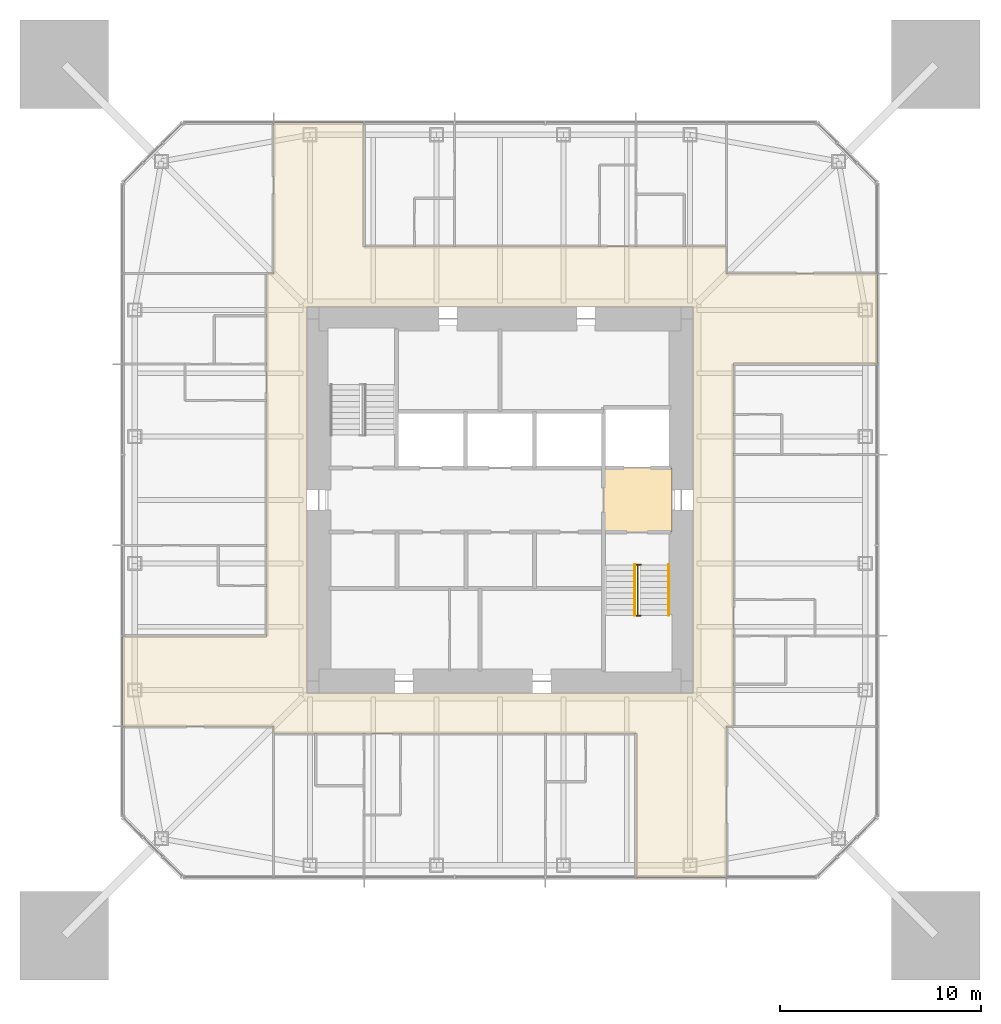
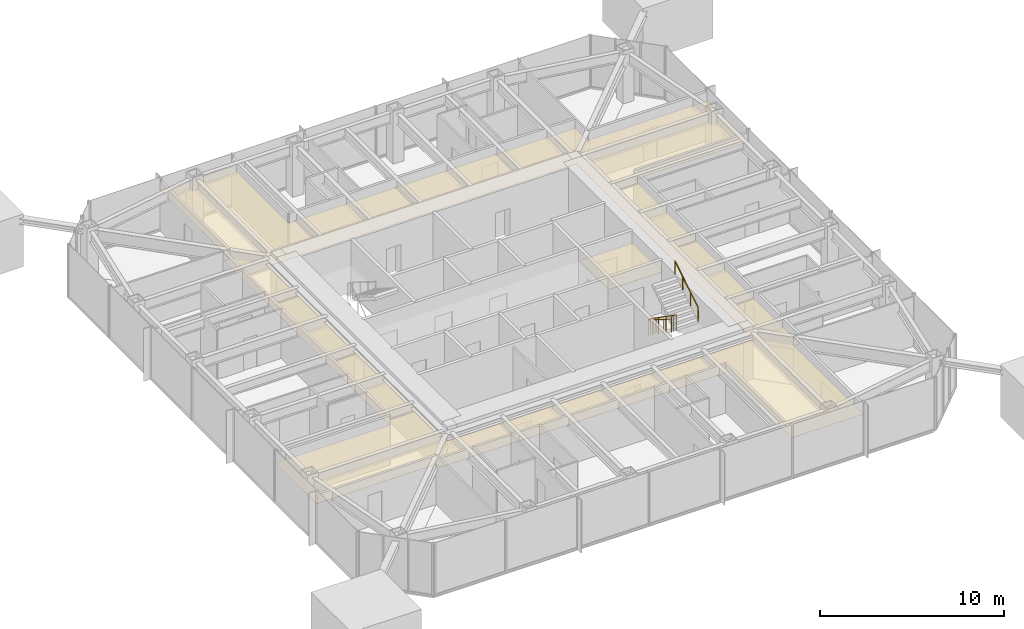
# One storey, part 10 of 11: 3 railings, 2 coverings.
"""IFC4 building model written with IfcOpenShell, lengths in metres."""

from ifc_helpers import new_model, si_unit, direction, frame, origin, origin_2d, place, context, subcontext, project, spatial, polyline, circle, outline, extrude, material, layer, layer_set, constituent, constituent_set, type_object, element, save


model = new_model("IFC4")

# Units and contexts
model_context = context("Model", 3, precision=1e-05, world=origin(), true_north=direction((0.0, 1.0)))
body_context = subcontext(model_context, "Body", "Model", "MODEL_VIEW")
ifc_project = project(units=[si_unit("LENGTHUNIT", "METRE"), si_unit("AREAUNIT", "SQUARE_METRE"), si_unit("VOLUMEUNIT", "CUBIC_METRE"), si_unit("PLANEANGLEUNIT", "RADIAN"), si_unit("MASSUNIT", "GRAM", prefix="KILO")], contexts=[model_context])

# Site, building, storey
site_placement = place(None, origin())
site = spatial("IfcSite", under=ifc_project, at=site_placement, CompositionType="ELEMENT")
building_placement = place(site_placement, origin())
building = spatial("IfcBuilding", under=site, at=building_placement, Name="Iwan Alto Co-Living Towers", CompositionType="ELEMENT")
storey_placement = place(building_placement, frame((0.0, 0.0, 177.5)))
storey = spatial("IfcBuildingStorey", under=building, at=storey_placement, Name="L48", CompositionType="ELEMENT", Elevation=177.5)

# Covering
ifc_material_1 = material(Name="Mineral fibre acoustic tiles on steel grid", Category="steel")
ifc_layer_1 = layer(ifc_material_1, 0.02001953125)
ifc_layer_set_1 = layer_set([ifc_layer_1], Name="ACOUSTIC TILE CEILING 20")
covering_type_1 = type_object("IfcCoveringType", Name="ACOUSTIC TILE CEILING 20", PredefinedType="CEILING", material=ifc_layer_set_1)
covering_1_placement = place(storey_placement, frame((0.0, 0.0, 2.60009765625)))
element("IfcCovering", 1, at=covering_1_placement, inside=storey, type_object=covering_type_1, Name="Ceiling Firefighting lobby L48", PredefinedType="CEILING", context=body_context, shape_type="SweptSolid", body=[
    extrude(outline(polyline([(5.14990234375, -1.60009765625), (5.14990234375, 1.60009765625), (8.550048828125, 1.60009765625), (8.550048828125, -1.60009765625), (5.14990234375, -1.60009765625)])), origin(), (0.0, 0.0, 1.0), 0.02001953125),
])

# Railings
ifc_material_2 = material(Name="Steel ASTM A500 Gr C", Category="steel")
ifc_constituent_1 = constituent(ifc_material_2, Name="Rails and posts", Category="Framing")
ifc_material_3 = material(Name="Steel ASTM A36", Category="steel")
ifc_constituent_2 = constituent(ifc_material_3, Name="Bar infill", Category="Infill")
ifc_constituent_set = constituent_set(constituents=[ifc_constituent_1, ifc_constituent_2], Name="STAIR GUARD 1100")
railing_type_1 = type_object("IfcRailingType", Name="STAIR GUARD 1100", PredefinedType="GUARDRAIL", material=ifc_constituent_set)
railing_1_placement = place(storey_placement, frame((6.85009765625, -3.219970703125, 0.0)))
element("IfcRailing", 2, at=railing_1_placement, inside=storey, type_object=railing_type_1, Name="Stair T1-S2 well guard L48", PredefinedType="GUARDRAIL", context=body_context, shape_type="SweptSolid", body=[
    extrude(circle(Radius=0.02392578125, at=origin_2d()), frame((0.0, 0.0, 1.076171875), z_axis=(0.0, -0.821372036852, 0.570392826987), x_axis=(1.0, 0.0, 0.0)), (0.0, 0.0, 1.0), 3.068115234375),
    extrude(circle(Radius=0.02392578125, at=origin_2d()), frame((-0.150146484375, 0.0, 1.076171875), z_axis=(1.0, 0.0, 0.0), x_axis=(0.0, 1.0, 0.0)), (0.0, 0.0, 1.0), 0.300048828125),
    extrude(circle(Radius=0.02392578125, at=origin_2d()), frame((-0.150146484375, -2.52001953125, 2.826171875), z_axis=(1.0, 0.0, 0.0), x_axis=(0.0, 1.0, 0.0)), (0.0, 0.0, 1.0), 0.300048828125),
    extrude(circle(Radius=0.02099609375, at=origin_2d()), origin(), (0.0, 0.0, 1.0), 1.052001953125),
    extrude(circle(Radius=0.02099609375, at=origin_2d()), frame((0.0, -0.840087890625, 0.583251953125)), (0.0, 0.0, 1.0), 1.052001953125),
    extrude(circle(Radius=0.02099609375, at=origin_2d()), frame((0.0, -1.679931640625, 1.166748046875)), (0.0, 0.0, 1.0), 1.052001953125),
    extrude(circle(Radius=0.02099609375, at=origin_2d()), frame((0.0, -2.52001953125, 1.75)), (0.0, 0.0, 1.0), 1.052001953125),
    extrude(circle(Radius=0.02099609375, at=origin_2d()), frame((-0.150146484375, 0.0, 0.0)), (0.0, 0.0, 1.0), 1.052001953125),
    extrude(circle(Radius=0.02099609375, at=origin_2d()), frame((0.14990234375, 0.0, 0.0)), (0.0, 0.0, 1.0), 1.052001953125),
    extrude(circle(Radius=0.02099609375, at=origin_2d()), frame((-0.150146484375, -2.52001953125, 1.75)), (0.0, 0.0, 1.0), 1.052001953125),
    extrude(circle(Radius=0.02099609375, at=origin_2d()), frame((0.14990234375, -2.52001953125, 1.75)), (0.0, 0.0, 1.0), 1.052001953125),
])
ifc_material_4 = material(Name="Steel ASTM A500 Gr C", Category="steel")
railing_type_2 = type_object("IfcRailingType", Name="STAIR HANDRAIL 900", PredefinedType="HANDRAIL", material=ifc_material_4)
railing_2_placement = place(storey_placement, frame((6.699951171875, -3.219970703125, 0.175048828125)))
element("IfcRailing", 3, at=railing_2_placement, inside=storey, type_object=railing_type_2, Name="Stair T1-S2 handrail 1 L48", PredefinedType="HANDRAIL", context=body_context, shape_type="SweptSolid", body=[
    extrude(circle(Radius=0.02392578125, at=origin_2d()), frame((0.0, 0.0, 0.8759765625), z_axis=(0.0, -0.848007534815, 0.529984170421), x_axis=(1.0, 0.0, 0.0)), (0.0, 0.0, 1.0), 2.9716796875),
    extrude(circle(Radius=0.02099609375, at=origin_2d()), origin(), (0.0, 0.0, 1.0), 0.851806640625),
    extrude(circle(Radius=0.02099609375, at=origin_2d()), frame((0.0, -0.840087890625, 0.52490234375)), (0.0, 0.0, 1.0), 0.851806640625),
    extrude(circle(Radius=0.02099609375, at=origin_2d()), frame((0.0, -1.679931640625, 1.050048828125)), (0.0, 0.0, 1.0), 0.851806640625),
    extrude(circle(Radius=0.02099609375, at=origin_2d()), frame((0.0, -2.52001953125, 1.574951171875)), (0.0, 0.0, 1.0), 0.851806640625),
])
railing_3_placement = place(storey_placement, frame((8.3798828125, -5.739990234375, 1.925048828125)))
element("IfcRailing", 4, at=railing_3_placement, inside=storey, type_object=railing_type_2, Name="Stair T1-S2 handrail 2 L48", PredefinedType="HANDRAIL", context=body_context, shape_type="SweptSolid", body=[
    extrude(circle(Radius=0.02392578125, at=origin_2d()), frame((0.0, 0.0, 0.8759765625), z_axis=(0.0, 0.848007534815, 0.529984170421), x_axis=(-1.0, 0.0, 0.0)), (0.0, 0.0, 1.0), 2.9716796875),
    extrude(circle(Radius=0.02099609375, at=origin_2d()), origin(), (0.0, 0.0, 1.0), 0.851806640625),
    extrude(circle(Radius=0.02099609375, at=origin_2d()), frame((0.0, 0.840087890625, 0.52490234375)), (0.0, 0.0, 1.0), 0.851806640625),
    extrude(circle(Radius=0.02099609375, at=origin_2d()), frame((0.0, 1.679931640625, 1.050048828125)), (0.0, 0.0, 1.0), 0.851806640625),
    extrude(circle(Radius=0.02099609375, at=origin_2d()), frame((0.0, 2.52001953125, 1.574951171875)), (0.0, 0.0, 1.0), 0.851806640625),
])

# Covering
ifc_material_5 = material(Name="Gypsum plasterboard on steel grid", Category="steel")
ifc_layer_2 = layer(ifc_material_5, 0.014892578125)
ifc_layer_set_2 = layer_set([ifc_layer_2], Name="SUSPENDED PLASTERBOARD CEILING 15")
covering_type_2 = type_object("IfcCoveringType", Name="SUSPENDED PLASTERBOARD CEILING 15", PredefinedType="CEILING", material=ifc_layer_set_2)
covering_2_placement = place(storey_placement, frame((0.0, 0.0, 2.60009765625)))
element("IfcCovering", 5, at=covering_2_placement, inside=storey, type_object=covering_type_2, Name="Ceiling Corridor L48", PredefinedType="CEILING", context=body_context, shape_type="SweptSolid", body=[
    extrude(outline(polyline([(-18.75, -11.25), (-18.75, -6.75), (-11.60009765625, -6.75), (-11.60009765625, 11.25), (-11.25, 11.25), (-11.25, 12.60009765625), (-11.25, 18.75), (-6.75, 18.75), (-6.75, 12.60009765625), (11.25, 12.60009765625), (11.25, 11.25), (11.60009765625, 11.25), (18.75, 11.25), (18.75, 6.75), (11.60009765625, 6.75), (11.60009765625, -11.25), (11.25, -11.25), (11.25, -11.60009765625), (11.25, -18.75), (6.75, -18.75), (6.75, -11.60009765625), (-11.25, -11.60009765625), (-11.25, -11.25), (-11.60009765625, -11.25), (-18.75, -11.25)]), holes=[polyline([(9.60009765625, 9.60009765625), (-9.60009765625, 9.60009765625), (-9.60009765625, -9.60009765625), (9.60009765625, -9.60009765625), (9.60009765625, 9.60009765625)])]), origin(), (0.0, 0.0, 1.0), 0.014892578125),
])

save(model, "model.ifc")
